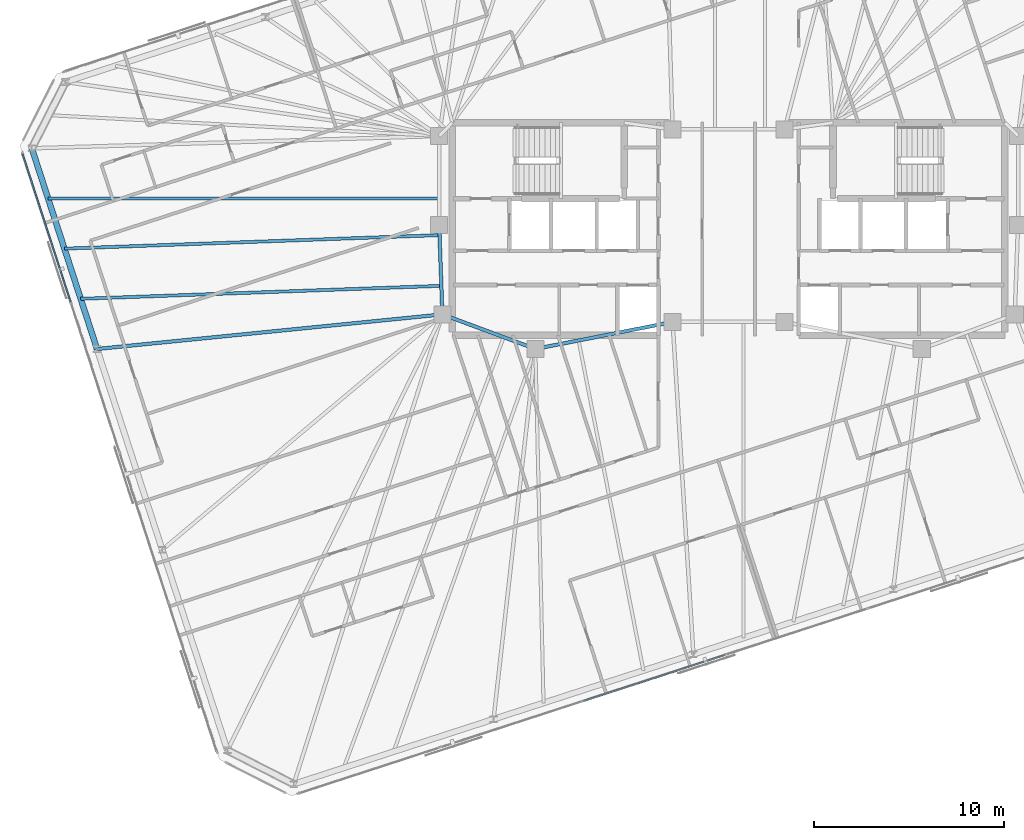
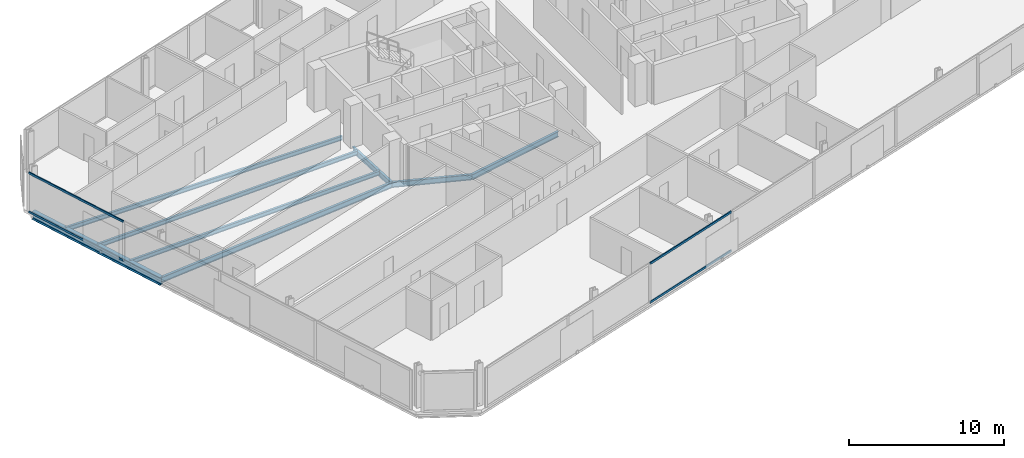
# One storey, part 6 of 20: 8 beams, 4 members, 2 elements without a shape of their own.
"""IFC4 building model written with IfcOpenShell, lengths in metres."""

from ifc_helpers import new_model, si_unit, direction, frame, origin, origin_2d, place, context, subcontext, project, spatial, rectangle, i_section, extrude, material, material_profile, profile_set, type_object, element, aggregate, save


model = new_model("IFC4")

# Units and contexts
model_context = context("Model", 3, precision=1e-05, world=origin(), true_north=direction((0.0, 1.0)))
body_context = subcontext(model_context, "Body", "Model", "MODEL_VIEW")
ifc_project = project(units=[si_unit("LENGTHUNIT", "METRE"), si_unit("AREAUNIT", "SQUARE_METRE"), si_unit("VOLUMEUNIT", "CUBIC_METRE"), si_unit("PLANEANGLEUNIT", "RADIAN"), si_unit("MASSUNIT", "GRAM", prefix="KILO")], contexts=[model_context])

# Site, building, storey
site_placement = place(None, origin())
site = spatial("IfcSite", under=ifc_project, at=site_placement, CompositionType="ELEMENT")
building_placement = place(site_placement, origin())
building = spatial("IfcBuilding", under=site, at=building_placement, Name="Menara Jurai Vektor", CompositionType="ELEMENT")
storey_placement = place(building_placement, frame((0.0, 0.0, 244.39990234375)))
storey = spatial("IfcBuildingStorey", under=building, at=storey_placement, Name="L65", CompositionType="ELEMENT", Elevation=244.39990234375)

# Curtain wall, members
ifc_material_1 = material(Name="Anodised Pale Aluminium & Low-E Double Glazing", Category="aluminium")
curtain_wall_type = type_object("IfcCurtainWallType", Name="CW-BLK4", PredefinedType="NOTDEFINED", material=ifc_material_1)
curtain_wall_1_placement = place(storey_placement, origin())
curtain_wall_1 = element("IfcCurtainWall", 1, at=curtain_wall_1_placement, inside=storey, type_object=curtain_wall_type, Name="Unitised Curtain Wall L65 F01", PredefinedType="NOTDEFINED")
ifc_material_2 = material(Name="Anodised Pale Aluminium Transom", Category="aluminium")
ifc_material_profile_1 = material_profile(ifc_material_2, rectangle(XDim=0.080078125, YDim=0.1650390625, at=origin_2d()), Name="ALU TRN 80x165")
ifc_profile_set_1 = profile_set([ifc_material_profile_1], Name="Anodised Pale Aluminium Transom")
member_type = type_object("IfcMemberType", Name="CW-BLK4-TRN", PredefinedType="USERDEFINED", material=ifc_profile_set_1)
member_1_placement = place(storey_placement, frame((-7.639404296875, -24.86669921875, 0.0400390625), z_axis=(0.951059330237, 0.309008333817, 0.0), x_axis=(-0.309008333817, 0.951059330237, 0.0)))
member_1 = element("IfcMember", 2, at=member_1_placement, type_object=member_type, Name="CW-04 transom 3.1", ObjectType="TRANSOM", PredefinedType="USERDEFINED", context=body_context, shape_type="SweptSolid", body=[
    extrude(rectangle(XDim=0.080078125, YDim=0.1650390625, at=origin_2d()), origin(), (0.0, 0.0, 1.0), 7.8115234375),
])
member_2_placement = place(storey_placement, frame((-7.639404296875, -24.86669921875, 3.085205078125), z_axis=(0.951059330237, 0.309008333817, 0.0), x_axis=(-0.309008333817, 0.951059330237, 0.0)))
member_2 = element("IfcMember", 3, at=member_2_placement, type_object=member_type, Name="CW-04 transom 3.2", ObjectType="TRANSOM", PredefinedType="USERDEFINED", context=body_context, shape_type="SweptSolid", body=[
    extrude(rectangle(XDim=0.080078125, YDim=0.1650390625, at=origin_2d()), origin(), (0.0, 0.0, 1.0), 7.8115234375),
])
aggregate(curtain_wall_1, [member_1, member_2])

curtain_wall_2_placement = place(storey_placement, origin())
curtain_wall_2 = element("IfcCurtainWall", 4, at=curtain_wall_2_placement, inside=storey, type_object=curtain_wall_type, Name="Unitised Curtain Wall L65 F07", PredefinedType="NOTDEFINED")
member_3_placement = place(storey_placement, frame((-37.19384765625, 3.950927734375, 0.0400390625), z_axis=(0.309010577384, -0.951058601278, 0.0), x_axis=(0.951058601278, 0.309010577384, 0.0)))
member_3 = element("IfcMember", 5, at=member_3_placement, type_object=member_type, Name="CW-04 transom 1.1", ObjectType="TRANSOM", PredefinedType="USERDEFINED", context=body_context, shape_type="SweptSolid", body=[
    extrude(rectangle(XDim=0.080078125, YDim=0.1650390625, at=origin_2d()), origin(), (0.0, 0.0, 1.0), 8.18994140625),
])
member_4_placement = place(storey_placement, frame((-37.19384765625, 3.950927734375, 3.085205078125), z_axis=(0.309010577384, -0.951058601278, 0.0), x_axis=(0.951058601278, 0.309010577384, 0.0)))
member_4 = element("IfcMember", 6, at=member_4_placement, type_object=member_type, Name="CW-04 transom 1.2", ObjectType="TRANSOM", PredefinedType="USERDEFINED", context=body_context, shape_type="SweptSolid", body=[
    extrude(rectangle(XDim=0.080078125, YDim=0.1650390625, at=origin_2d()), origin(), (0.0, 0.0, 1.0), 8.18994140625),
])
aggregate(curtain_wall_2, [member_3, member_4])

# Beams
ifc_material_3 = material(Name="Steel S355", Category="steel")
ifc_material_profile_2 = material_profile(ifc_material_3, i_section(OverallWidth=0.18505859375, OverallDepth=0.429931640625, WebThickness=0.010986328125, FlangeThickness=0.01806640625, at=origin_2d()), Name="PG 430x185x76")
ifc_profile_set_2 = profile_set([ifc_material_profile_2], Name="Steel S355")
beam_type_1 = type_object("IfcBeamType", Name="STR-BM-430", PredefinedType="BEAM", material=ifc_profile_set_2)
beam_1_placement = place(storey_placement, frame((-15.080078125, -4.5, -0.43994140625), z_axis=(-0.035977314146, 0.999352606874, 0.0), x_axis=(-0.999352606874, -0.035977314146, 0.0)))
element("IfcBeam", 7, at=beam_1_placement, inside=storey, type_object=beam_type_1, Name="Core Ring Header Girder L65-CHW-W2", PredefinedType="BEAM", context=body_context, shape_type="SweptSolid", body=[
    extrude(i_section(OverallWidth=0.18505859375, OverallDepth=0.429931640625, WebThickness=0.010986328125, FlangeThickness=0.01806640625, at=origin_2d()), origin(), (0.0, 0.0, 1.0), 4.72314453125),
])
beam_2_placement = place(storey_placement, frame((-15.080078125, -4.5, -0.43994140625), z_axis=(0.937424400887, -0.348188874925, 0.0), x_axis=(0.348188874925, 0.937424400887, 0.0)))
element("IfcBeam", 8, at=beam_2_placement, inside=storey, type_object=beam_type_1, Name="Core Ring Header Girder L65-CHW-S1", PredefinedType="BEAM", context=body_context, shape_type="SweptSolid", body=[
    extrude(i_section(OverallWidth=0.18505859375, OverallDepth=0.429931640625, WebThickness=0.010986328125, FlangeThickness=0.01806640625, at=origin_2d()), origin(), (0.0, 0.0, 1.0), 5.227294921875),
])
beam_3_placement = place(storey_placement, frame((-10.179931640625, -6.320068359375, -0.43994140625), z_axis=(0.981249044334, 0.192744164614, 0.0), x_axis=(-0.192744164614, 0.981249044334, 0.0)))
element("IfcBeam", 9, at=beam_3_placement, inside=storey, type_object=beam_type_1, Name="Core Ring Header Girder L65-CHW-S2", PredefinedType="BEAM", context=body_context, shape_type="SweptSolid", body=[
    extrude(i_section(OverallWidth=0.18505859375, OverallDepth=0.429931640625, WebThickness=0.010986328125, FlangeThickness=0.01806640625, at=origin_2d()), origin(), (0.0, 0.0, 1.0), 7.3681640625),
])
beam_4_placement = place(storey_placement, frame((-33.277587890625, -6.322509765625, -0.43994140625), z_axis=(0.995022243563, 0.099653072276, 0.0), x_axis=(-0.099653072276, 0.995022243563, 0.0)))
element("IfcBeam", 10, at=beam_4_placement, inside=storey, type_object=beam_type_1, Name="Radial Floor Girder L65-W2", PredefinedType="BEAM", context=body_context, shape_type="SweptSolid", body=[
    extrude(i_section(OverallWidth=0.18505859375, OverallDepth=0.429931640625, WebThickness=0.010986328125, FlangeThickness=0.01806640625, at=origin_2d()), origin(), (0.0, 0.0, 1.0), 18.28857421875),
])
ifc_material_profile_3 = material_profile(ifc_material_3, i_section(OverallWidth=0.1650390625, OverallDepth=0.330078125, WebThickness=0.009033203125, FlangeThickness=0.013916015625, at=origin_2d()), Name="PG 330x165x46")
ifc_profile_set_3 = profile_set([ifc_material_profile_3], Name="Steel S355")
beam_type_2 = type_object("IfcBeamType", Name="STR-JS-330", PredefinedType="JOIST", material=ifc_profile_set_3)
beam_5_placement = place(storey_placement, frame((-35.8544921875, 1.6083984375, -0.389892578125), z_axis=(1.0, 0.0, 0.0), x_axis=(0.0, 1.0, 0.0)))
element("IfcBeam", 11, at=beam_5_placement, inside=storey, type_object=beam_type_2, Name="Radial Secondary Floor Joist L65-JS28", PredefinedType="JOIST", context=body_context, shape_type="SweptSolid", body=[
    extrude(i_section(OverallWidth=0.1650390625, OverallDepth=0.330078125, WebThickness=0.009033203125, FlangeThickness=0.013916015625, at=origin_2d()), origin(), (0.0, 0.0, 1.0), 20.6044921875),
])
beam_6_placement = place(storey_placement, frame((-34.99560546875, -1.03515625, -0.389892578125), z_axis=(0.999351957959, 0.035995334734, 0.0), x_axis=(-0.035995334734, 0.999351957959, 0.0)))
element("IfcBeam", 12, at=beam_6_placement, inside=storey, type_object=beam_type_2, Name="Radial Secondary Floor Joist L65-JS29", PredefinedType="JOIST", context=body_context, shape_type="SweptSolid", body=[
    extrude(i_section(OverallWidth=0.1650390625, OverallDepth=0.330078125, WebThickness=0.009033203125, FlangeThickness=0.013916015625, at=origin_2d()), origin(), (0.0, 0.0, 1.0), 19.77783203125),
])
beam_7_placement = place(storey_placement, frame((-34.136474609375, -3.6787109375, -0.389892578125), z_axis=(0.999352161922, 0.035989671603, 0.0), x_axis=(-0.035989671603, 0.999352161922, 0.0)))
element("IfcBeam", 13, at=beam_7_placement, inside=storey, type_object=beam_type_2, Name="Radial Secondary Floor Joist L65-JS30", PredefinedType="JOIST", context=body_context, shape_type="SweptSolid", body=[
    extrude(i_section(OverallWidth=0.1650390625, OverallDepth=0.330078125, WebThickness=0.009033203125, FlangeThickness=0.013916015625, at=origin_2d()), origin(), (0.0, 0.0, 1.0), 19.014404296875),
])
ifc_material_profile_4 = material_profile(ifc_material_3, i_section(OverallWidth=0.306884765625, OverallDepth=0.6201171875, WebThickness=0.013916015625, FlangeThickness=0.02392578125, FilletRadius=0.01708984375, at=origin_2d()), Name="UKB 610x305x179")
ifc_profile_set_4 = profile_set([ifc_material_profile_4], Name="Steel S355")
beam_type_3 = type_object("IfcBeamType", Name="STR-SP-610", PredefinedType="SPANDREL", material=ifc_profile_set_4)
beam_8_placement = place(storey_placement, frame((-36.71337890625, 4.251953125, -0.534912109375), z_axis=(0.309012092614, -0.95105810896, 0.0), x_axis=(0.95105810896, 0.309012092614, 0.0)))
element("IfcBeam", 14, at=beam_8_placement, inside=storey, type_object=beam_type_3, Name="Exoskeleton Spandrel Beam L65-17", PredefinedType="SPANDREL", context=body_context, shape_type="SweptSolid", body=[
    extrude(i_section(OverallWidth=0.306884765625, OverallDepth=0.6201171875, WebThickness=0.013916015625, FlangeThickness=0.02392578125, FilletRadius=0.01708984375, at=origin_2d()), origin(), (0.0, 0.0, 1.0), 11.11865234375),
])

save(model, "model.ifc")
